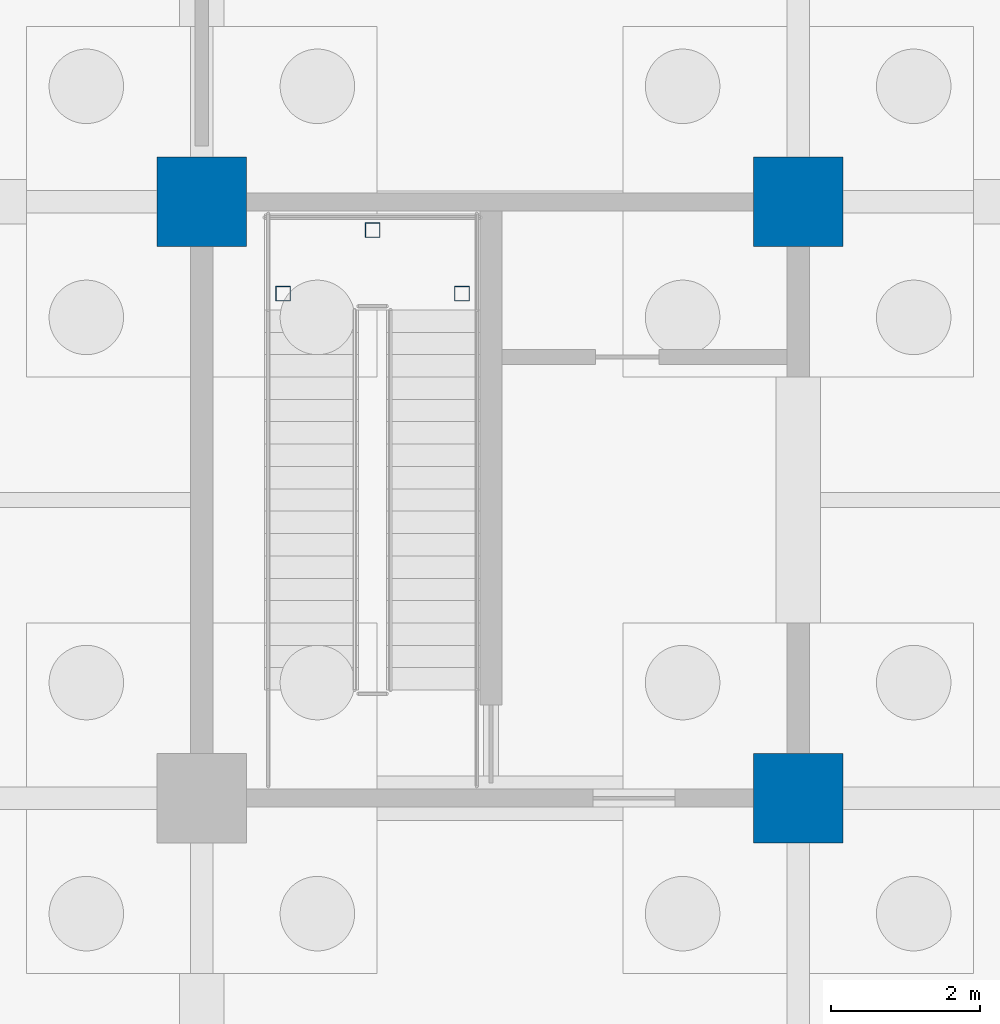
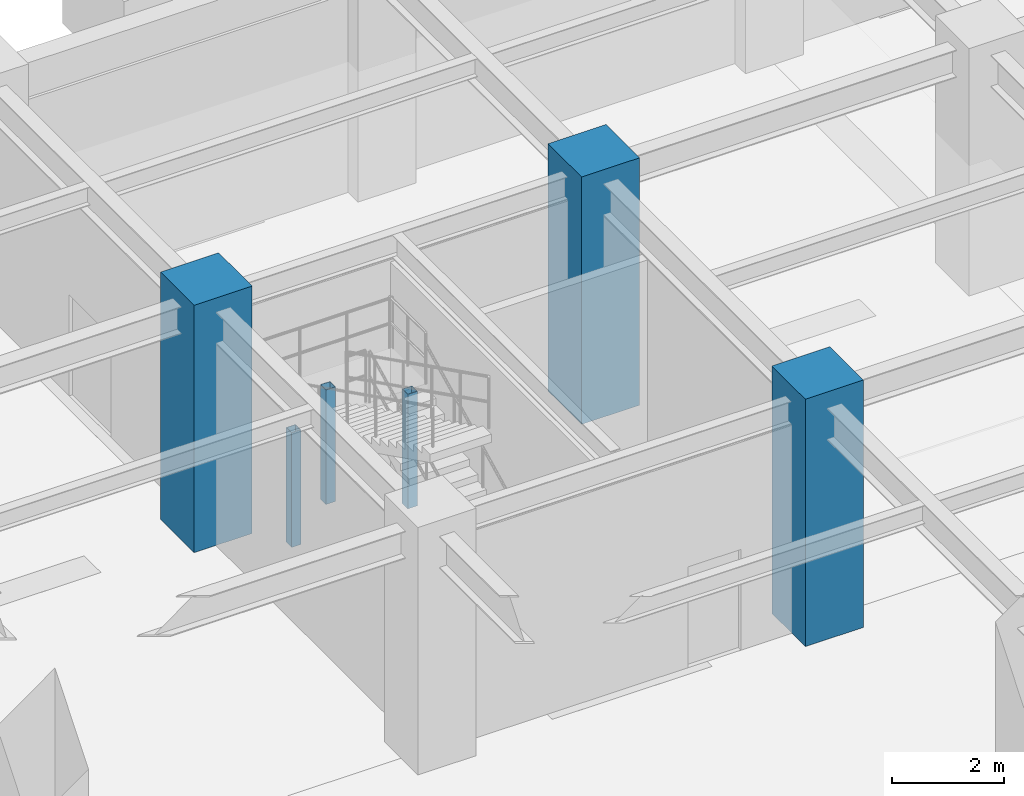
# One storey, part 27 of 97: 6 columns.
"""IFC4 building model written with IfcOpenShell, lengths in metres."""

from ifc_helpers import new_model, si_unit, direction, frame, origin, origin_2d, place, context, subcontext, project, spatial, rectangle, hollow_rectangle, extrude, material, material_profile, profile_set, type_object, element, save


model = new_model("IFC4")

# Units and contexts
model_context = context("Model", 3, precision=1e-05, world=origin(), true_north=direction((0.0, 1.0)))
body_context = subcontext(model_context, "Body", "Model", "MODEL_VIEW")
ifc_project = project(units=[si_unit("LENGTHUNIT", "METRE"), si_unit("AREAUNIT", "SQUARE_METRE"), si_unit("VOLUMEUNIT", "CUBIC_METRE"), si_unit("PLANEANGLEUNIT", "RADIAN"), si_unit("MASSUNIT", "GRAM", prefix="KILO")], contexts=[model_context])

# Site, building, storey
site_placement = place(None, origin())
site = spatial("IfcSite", under=ifc_project, at=site_placement, CompositionType="ELEMENT")
building_placement = place(site_placement, origin())
building = spatial("IfcBuilding", under=site, at=building_placement, Name="Haebicheon Civic Stadium", CompositionType="ELEMENT")
storey_placement = place(building_placement, frame((0.0, 0.0, -5.39990234375)))
storey = spatial("IfcBuildingStorey", under=building, at=storey_placement, Name="B1", CompositionType="ELEMENT", Elevation=-5.39990234375)

# Columns
ifc_material_1 = material(Name="Concrete C40/50", Category="concrete")
ifc_material_profile_1 = material_profile(ifc_material_1, rectangle(XDim=1.199951171875, YDim=1.199951171875, at=origin_2d()), Name="RC-COL-1200x1200")
ifc_profile_set_1 = profile_set([ifc_material_profile_1], Name="Concrete C40/50")
column_type_1 = type_object("IfcColumnType", Name="COL-RC-1200", PredefinedType="COLUMN", material=ifc_profile_set_1)
for number, where, z_axis, x_axis, name in (
    (1, (112.0, 24.0, 0.0), (0.0, 0.0, 1.0), (1.0, 0.0, 0.0), "B1 column 15/D"),
    (2, (120.0, 16.0, 0.0), (0.0, 0.0, 1.0), (1.0, 0.0, 0.0), "B1 column 16/C"),
    (3, (120.0, 24.0, 0.0), (0.0, 0.0, 1.0), (1.0, 0.0, 0.0), "B1 column 16/D"),
):
    element("IfcColumn", number, at=place(storey_placement, frame(where, z_axis=z_axis, x_axis=x_axis)), inside=storey, type_object=column_type_1, material=ifc_profile_set_1, Name=name, PredefinedType="COLUMN", context=body_context, shape_type="SweptSolid", body=[
        extrude(rectangle(XDim=1.199951171875, YDim=1.199951171875, at=origin_2d()), origin(), (0.0, 0.0, 1.0), 5.39990234375),
    ])
ifc_material_2 = material(Name="Steel SM355 (S355)", Category="steel")
ifc_material_profile_2 = material_profile(ifc_material_2, hollow_rectangle(XDim=0.199951171875, YDim=0.199951171875, WallThickness=0.009033203125, at=origin_2d()), Name="RHS-200x200x9.0")
ifc_profile_set_2 = profile_set([ifc_material_profile_2], Name="Steel SM355 (S355)")
column_type_2 = type_object("IfcColumnType", Name="COL-ST-RHS200", PredefinedType="COLUMN", material=ifc_profile_set_2)
for number, where, z_axis, x_axis, name in (
    (4, (113.090087890625, 22.77001953125, 0.0), (0.0, 0.0, 1.0), (1.0, 0.0, 0.0), "KC-07 B1 stair half-landing support post A"),
    (5, (115.489990234375, 22.77001953125, 0.0), (0.0, 0.0, 1.0), (1.0, 0.0, 0.0), "KC-07 B1 stair half-landing support post B"),
    (6, (114.2900390625, 23.6201171875, 0.0), (0.0, 0.0, 1.0), (1.0, 0.0, 0.0), "KC-07 B1 stair half-landing support post C"),
):
    element("IfcColumn", number, at=place(storey_placement, frame(where, z_axis=z_axis, x_axis=x_axis)), inside=storey, type_object=column_type_2, material=ifc_profile_set_2, Name=name, PredefinedType="COLUMN", context=body_context, shape_type="SweptSolid", body=[
        extrude(hollow_rectangle(XDim=0.199951171875, YDim=0.199951171875, WallThickness=0.009033203125, at=origin_2d()), origin(), (0.0, 0.0, 1.0), 2.5),
    ])

save(model, "model.ifc")
